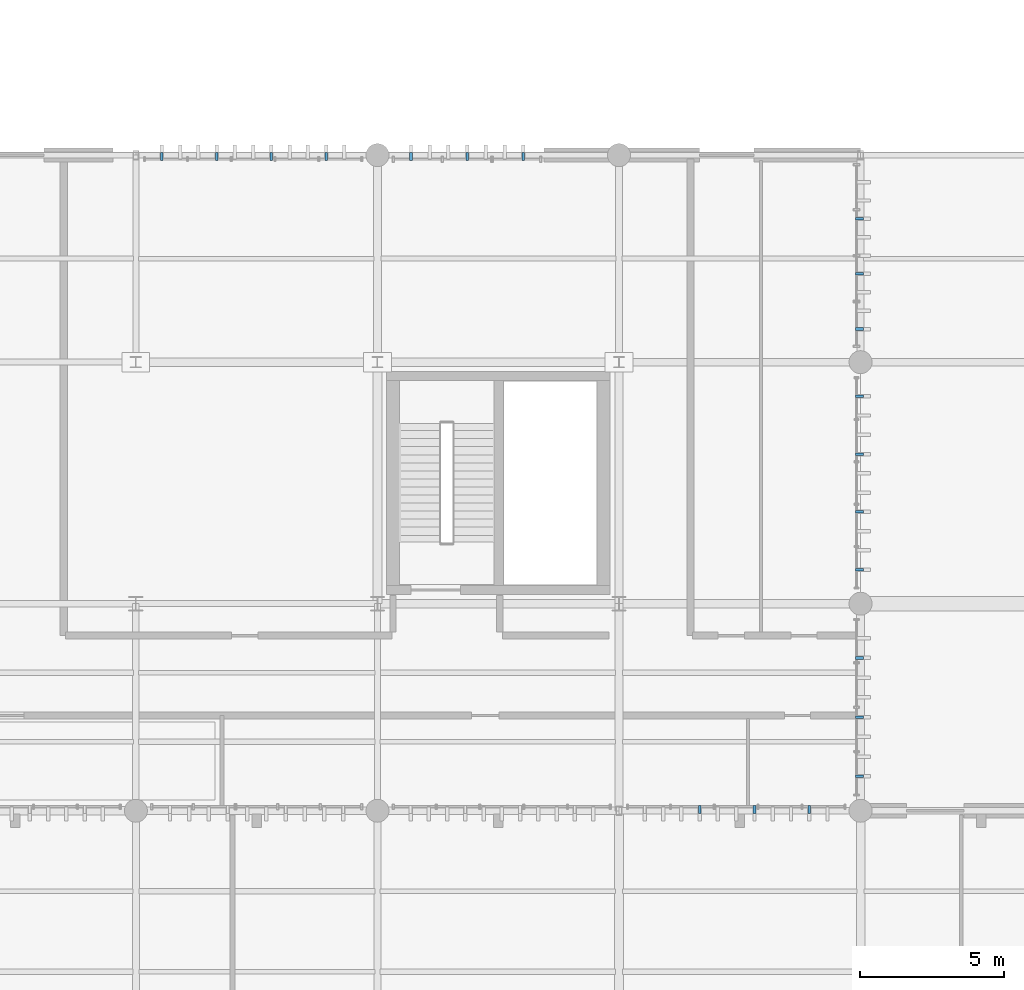
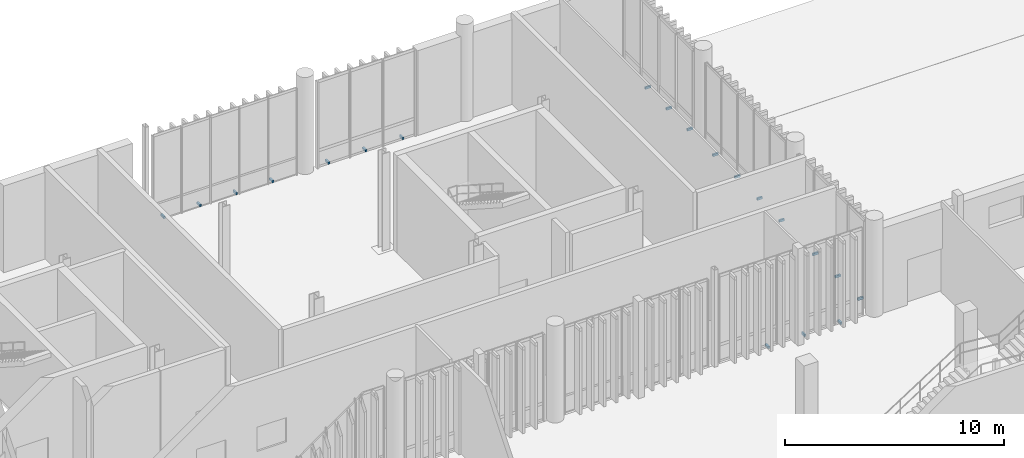
# One storey, part 99 of 112: 20 discrete accessories.
"""IFC4 building model written with IfcOpenShell, lengths in metres."""

from ifc_helpers import new_model, si_unit, direction, frame, origin_with_axes, origin_2d_with_axis, place, context, subcontext, project, spatial, rectangle, extrude, material, type_object, element, save


model = new_model("IFC4")

# Units and contexts
model_context = context("Model", 3, precision=1e-05, world=origin_with_axes(), true_north=direction((0.0, 1.0)))
body_context = subcontext(model_context, "Body", "Model", "MODEL_VIEW")
ifc_project = project(units=[si_unit("LENGTHUNIT", "METRE"), si_unit("AREAUNIT", "SQUARE_METRE"), si_unit("VOLUMEUNIT", "CUBIC_METRE"), si_unit("PLANEANGLEUNIT", "RADIAN"), si_unit("MASSUNIT", "GRAM", prefix="KILO"), si_unit("THERMODYNAMICTEMPERATUREUNIT", "KELVIN")], contexts=[model_context])

# Site, building, storey
site_placement = place(None, origin_with_axes())
site = spatial("IfcSite", under=ifc_project, at=site_placement, CompositionType="ELEMENT")
building_placement = place(site_placement, origin_with_axes())
building = spatial("IfcBuilding", under=site, at=building_placement, Name="Montbau Bow Law Courts", CompositionType="ELEMENT")
storey_placement = place(building_placement, origin_with_axes())
storey = spatial("IfcBuildingStorey", under=building, at=storey_placement, Name="L00", CompositionType="ELEMENT", Elevation=0.0)

# Discrete accessories
ifc_material = material(Name="Stainless Steel AISI 316L Outrigger Louvre Bracket", Category="steel")
discrete_accessory_type = type_object("IfcDiscreteAccessoryType", Name="DA-BRK-01", PredefinedType="BRACKET", material=ifc_material)
for number, where, z_axis, x_axis, name in (
    (1, (91.606, 39.04, 0.0), (0.0, 0.0, 1.0), (0.0, -1.0, 0.0), "BRK-L00-0429:brk_0429"),
    (2, (93.511, 39.04, 0.0), (0.0, 0.0, 1.0), (0.0, -1.0, 0.0), "BRK-L00-0430:brk_0430"),
    (3, (95.415, 39.04, 0.0), (0.0, 0.0, 1.0), (0.0, -1.0, 0.0), "BRK-L00-0431:brk_0431"),
    (4, (72.902, 61.76, 0.0), (0.0, 0.0, 1.0), (0.0, 1.0, 0.0), "BRK-L00-0440:brk_0440"),
    (5, (74.806, 61.76, 0.0), (0.0, 0.0, 1.0), (0.0, 1.0, 0.0), "BRK-L00-0441:brk_0441"),
    (6, (76.711, 61.76, 0.0), (0.0, 0.0, 1.0), (0.0, 1.0, 0.0), "BRK-L00-0442:brk_0442"),
    (7, (78.615, 61.76, 0.0), (0.0, 0.0, 1.0), (0.0, 1.0, 0.0), "BRK-L00-0443:brk_0443"),
    (8, (81.566, 61.76, 0.0), (0.0, 0.0, 1.0), (0.0, 1.0, 0.0), "BRK-L00-0444:brk_0444"),
    (9, (83.517, 61.76, 0.0), (0.0, 0.0, 1.0), (0.0, 1.0, 0.0), "BRK-L00-0445:brk_0445"),
    (10, (85.469, 61.76, 0.0), (0.0, 0.0, 1.0), (0.0, 1.0, 0.0), "BRK-L00-0446:brk_0446"),
    (11, (97.16, 40.201, 0.0), (0.0, 0.0, 1.0), (1.0, 0.0, 0.0), "BRK-L00-0457:brk_0457"),
    (12, (97.16, 42.257, 0.0), (0.0, 0.0, 1.0), (1.0, 0.0, 0.0), "BRK-L00-0458:brk_0458"),
    (13, (97.16, 44.314, 0.0), (0.0, 0.0, 1.0), (1.0, 0.0, 0.0), "BRK-L00-0459:brk_0459"),
    (14, (97.16, 47.385, 0.0), (0.0, 0.0, 1.0), (1.0, 0.0, 0.0), "BRK-L00-0460:brk_0460"),
    (15, (97.16, 49.395, 0.0), (0.0, 0.0, 1.0), (1.0, 0.0, 0.0), "BRK-L00-0461:brk_0461"),
    (16, (97.16, 51.405, 0.0), (0.0, 0.0, 1.0), (1.0, 0.0, 0.0), "BRK-L00-0462:brk_0462"),
    (17, (97.16, 53.415, 0.0), (0.0, 0.0, 1.0), (1.0, 0.0, 0.0), "BRK-L00-0463:brk_0463"),
    (18, (97.16, 55.753, 0.0), (0.0, 0.0, 1.0), (1.0, 0.0, 0.0), "BRK-L00-0464:brk_0464"),
    (19, (97.16, 57.669, 0.0), (0.0, 0.0, 1.0), (1.0, 0.0, 0.0), "BRK-L00-0465:brk_0465"),
    (20, (97.16, 59.584, 0.0), (0.0, 0.0, 1.0), (1.0, 0.0, 0.0), "BRK-L00-0466:brk_0466"),
):
    element("IfcDiscreteAccessory", number, at=place(None, frame(where, z_axis=z_axis, x_axis=x_axis)), inside=storey, type_object=discrete_accessory_type, Name=name, PredefinedType="BRACKET", context=body_context, shape_type="SweptSolid", body=[
        extrude(rectangle(XDim=0.28, YDim=0.09, at=origin_2d_with_axis()), origin_with_axes(), (0.0, 0.0, 1.0), 0.12),
    ])

save(model, "model.ifc")
